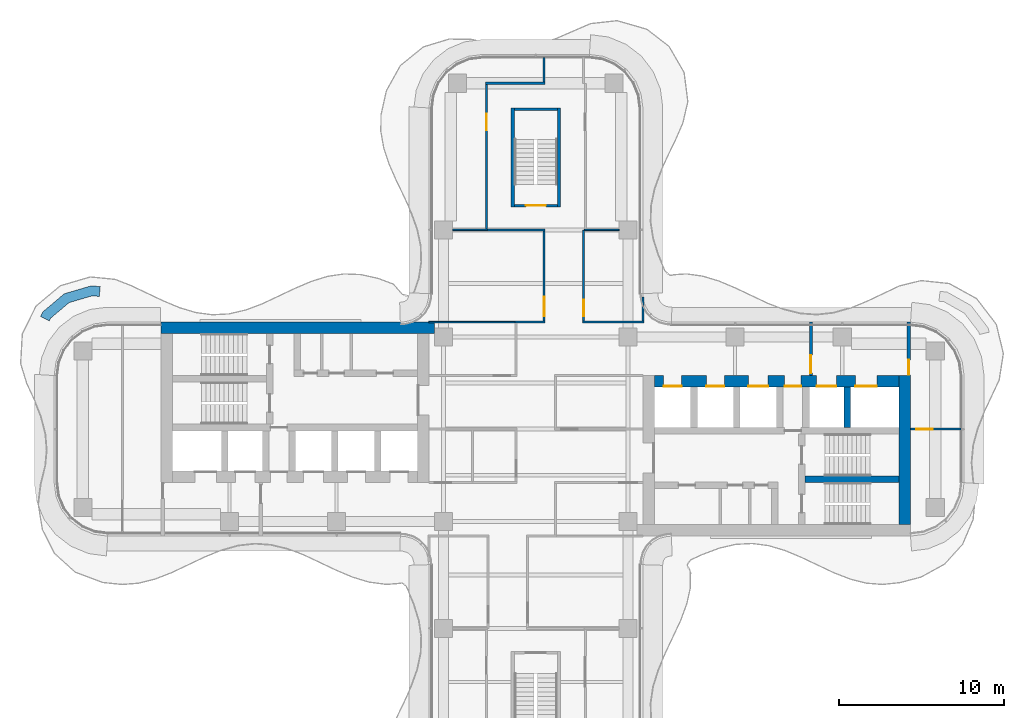
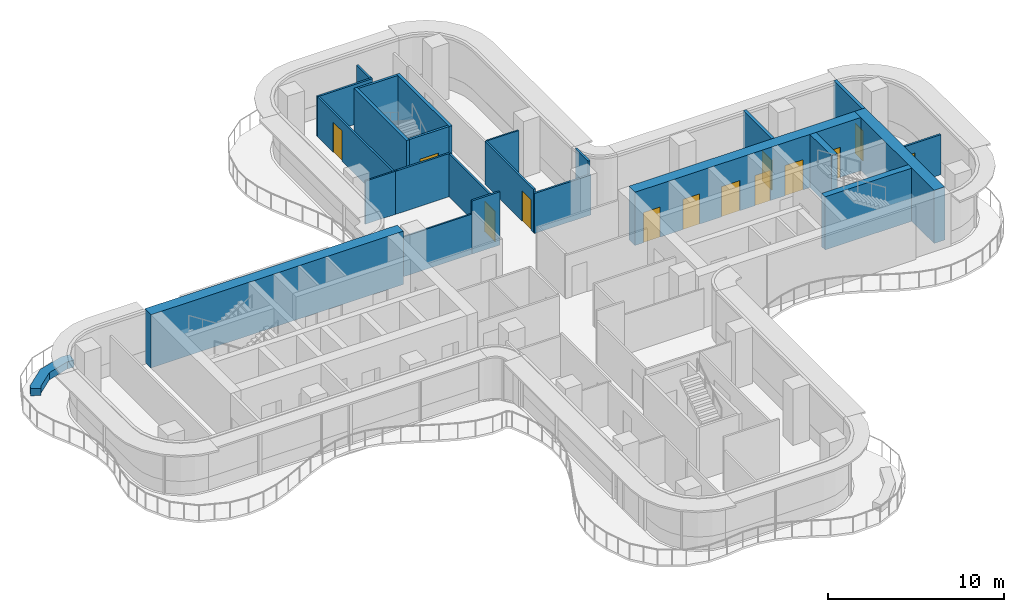
# One storey, part 14 of 17: 25 walls, 13 doors, 13 openings.
"""IFC4 building model written with IfcOpenShell, lengths in metres."""

from ifc_helpers import new_model, si_unit, direction, frame, frame_2d, origin, place, context, subcontext, project, spatial, polyline, rectangle, outline, extrude, source, transform, mapped, material, layer, layer_set, type_object, element, fill, save


model = new_model("IFC4")

# Units and contexts
model_context = context("Model", 3, precision=1e-05, world=origin(), true_north=direction((0.0, 1.0)))
body_context = subcontext(model_context, "Body", "Model", "MODEL_VIEW")
ifc_project = project(units=[si_unit("LENGTHUNIT", "METRE"), si_unit("AREAUNIT", "SQUARE_METRE"), si_unit("VOLUMEUNIT", "CUBIC_METRE"), si_unit("PLANEANGLEUNIT", "RADIAN"), si_unit("MASSUNIT", "GRAM", prefix="KILO")], contexts=[model_context])

# Site, building, storey
site_placement = place(None, origin())
site = spatial("IfcSite", under=ifc_project, at=site_placement, CompositionType="ELEMENT")
building_placement = place(site_placement, origin())
building = spatial("IfcBuilding", under=site, at=building_placement, Name="Trellis Farm Tower", CompositionType="ELEMENT")
storey_placement = place(building_placement, frame((0.0, 0.0, 240.199951171875)))
storey = spatial("IfcBuildingStorey", under=building, at=storey_placement, Name="L53", CompositionType="ELEMENT", Elevation=240.199951171875)

# Walls
ifc_material_1 = material(Name="Sandstone faced masonry planter", Category="masonry")
ifc_layer_1 = layer(ifc_material_1, 0.60009765625)
ifc_layer_set_1 = layer_set([ifc_layer_1], Name="PLANTER BED 600")
wall_type_1 = type_object("IfcWallType", Name="PLANTER BED 600", PredefinedType="USERDEFINED", material=ifc_layer_set_1)
wall_1_placement = place(storey_placement, origin())
element("IfcWall", 1, at=wall_1_placement, inside=storey, type_object=wall_type_1, Name="PLANTER bed", ObjectType="PLANTER", PredefinedType="USERDEFINED", context=body_context, shape_type="SweptSolid", body=[
    extrude(outline(polyline([(-29.93896484375, 7.119140625), (-28.6328125, 8.22119140625), (-26.98193359375, 8.705078125), (-26.449951171875, 8.651611328125), (-26.510009765625, 8.0546875), (-26.925537109375, 8.096435546875), (-28.3427734375, 7.68115234375), (-29.454833984375, 6.742431640625), (-29.5390625, 6.569091796875), (-30.07861328125, 6.83154296875), (-29.93896484375, 7.119140625)])), origin(), (0.0, 0.0, 1.0), 0.5),
])
ifc_material_2 = material(Name="Concrete C60/75", Category="concrete")
ifc_layer_2 = layer(ifc_material_2, 0.699951171875)
ifc_layer_set_2 = layer_set([ifc_layer_2], Name="CORE OUTER WALL 700 CONCRETE C60/75")
wall_type_2 = type_object("IfcWallType", Name="CORE OUTER WALL 700 CONCRETE C60/75", PredefinedType="SHEAR", material=ifc_layer_set_2)
shared_shape_1 = source(origin(), body_context, "Body", "SweptSolid", [
    extrude(rectangle(XDim=9.050048828125, YDim=0.699951171875, at=frame_2d((4.52490234375, 0.0))), origin(), (0.0, 0.0, 1.0), 3.699951171875),
])
wall_2_placement = place(storey_placement, frame((22.39990234375, -5.800048828125, 0.0), z_axis=(0.0, 0.0, 1.0), x_axis=(0.0, 1.0, 0.0)))
element("IfcWall", 2, at=wall_2_placement, inside=storey, type_object=wall_type_2, Name="Core wall", PredefinedType="SHEAR", context=body_context, shape_type="MappedRepresentation", body=[
    mapped(shared_shape_1, transform((0.0, 0.0, 0.0))),
])
ifc_layer_3 = layer(ifc_material_2, 0.39990234375)
ifc_layer_set_3 = layer_set([ifc_layer_3], Name="CORE INNER WALL 400 CONCRETE C60/75")
wall_type_3 = type_object("IfcWallType", Name="CORE INNER WALL 400 CONCRETE C60/75", PredefinedType="SHEAR", material=ifc_layer_set_3)
shared_shape_2 = source(origin(), body_context, "Body", "SweptSolid", [
    extrude(rectangle(XDim=2.449951171875, YDim=0.39990234375, at=frame_2d((1.22509765625, 0.0))), origin(), (0.0, 0.0, 1.0), 3.699951171875),
])
wall_3_placement = place(storey_placement, frame((18.89990234375, 0.10009765625, 0.0), z_axis=(0.0, 0.0, 1.0), x_axis=(0.0, 1.0, 0.0)))
element("IfcWall", 3, at=wall_3_placement, inside=storey, type_object=wall_type_3, Name="Core wall", PredefinedType="SHEAR", context=body_context, shape_type="MappedRepresentation", body=[
    mapped(shared_shape_2, transform((0.0, 0.0, 0.0))),
])

# Wall, opening, door
ifc_material_3 = material(Name="Masonry blockwork", Category="masonry")
ifc_layer_4 = layer(ifc_material_3, 0.199951171875)
ifc_layer_set_4 = layer_set([ifc_layer_4], Name="FIRE LOBBY PARTITION 200 BLOCKWORK")
wall_type_4 = type_object("IfcWallType", Name="FIRE LOBBY PARTITION 200 BLOCKWORK", PredefinedType="PARTITIONING", material=ifc_layer_set_4)
shared_shape_3 = source(origin(), body_context, "Body", "SweptSolid", [
    extrude(rectangle(XDim=3.25, YDim=0.199951171875, at=frame_2d((1.625, 0.0))), origin(), (0.0, 0.0, 1.0), 3.699951171875),
])
wall_4_placement = place(storey_placement, frame((16.699951171875, 3.25, 0.0), z_axis=(0.0, 0.0, 1.0), x_axis=(0.0, 1.0, 0.0)))
wall_4 = element("IfcWall", 4, at=wall_4_placement, inside=storey, type_object=wall_type_4, Name="Fire-fighting lobby partition", PredefinedType="PARTITIONING", context=body_context, shape_type="MappedRepresentation", body=[
    mapped(shared_shape_3, transform((0.0, 0.0, 0.0))),
])
shared_shape_4 = source(origin(), body_context, "Body", "SweptSolid", [
    extrude(rectangle(XDim=1.10009765625, YDim=2.10009765625, at=frame_2d((0.550048828125, 1.050048828125))), frame((0.0, 0.110107421875, 0.0), z_axis=(0.0, -1.0, 0.0), x_axis=(1.0, 0.0, 0.0)), (0.0, 0.0, 1.0), 0.22021484375),
])
opening_1_placement = place(wall_4_placement, frame((0.14990234375, 0.0, 0.0)))
opening_1 = element("IfcOpeningElement", 5, at=opening_1_placement, cuts=wall_4, Name="Opening DC7", PredefinedType="OPENING", context=body_context, shape_type="MappedRepresentation", body=[
    mapped(shared_shape_4, transform((0.0, 0.0, 0.0))),
])
ifc_material_4 = material(Name="Steel", Category="steel")
door_type_1 = type_object("IfcDoorType", Name="CORE FIRE DOOR 1100 X 2100", OperationType="NOTDEFINED", PredefinedType="DOOR", material=ifc_material_4)
shared_shape_5 = source(origin(), body_context, "Body", "SweptSolid", [
    extrude(rectangle(XDim=1.10009765625, YDim=2.10009765625, at=frame_2d((0.550048828125, 1.050048828125))), frame((0.0, 0.02490234375, 0.0), z_axis=(0.0, -1.0, 0.0), x_axis=(1.0, 0.0, 0.0)), (0.0, 0.0, 1.0), 0.050048828125),
])
door_1_placement = place(opening_1_placement, origin())
door_1 = element("IfcDoor", 6, at=door_1_placement, inside=storey, type_object=door_type_1, Name="Core door", OperationType="SINGLE_SWING_RIGHT", OverallHeight=2.10009765625, OverallWidth=1.10009765625, PredefinedType="DOOR", context=body_context, shape_type="MappedRepresentation", body=[
    mapped(shared_shape_5, transform((0.0, 0.0, 0.0))),
])
fill(opening_1, door_1)

wall_5_placement = place(storey_placement, frame((22.64990234375, 3.25, 0.0), z_axis=(0.0, 0.0, 1.0), x_axis=(0.0, 1.0, 0.0)))
wall_5 = element("IfcWall", 7, at=wall_5_placement, inside=storey, type_object=wall_type_4, Name="Fire-fighting lobby partition", PredefinedType="PARTITIONING", context=body_context, shape_type="MappedRepresentation", body=[
    mapped(shared_shape_3, transform((0.0, 0.0, 0.0))),
])
shared_shape_6 = source(origin(), body_context, "Body", "SweptSolid", [
    extrude(rectangle(XDim=0.89990234375, YDim=2.10009765625, at=frame_2d((0.449951171875, 1.050048828125))), frame((0.0, 0.110107421875, 0.0), z_axis=(0.0, -1.0, 0.0), x_axis=(1.0, 0.0, 0.0)), (0.0, 0.0, 1.0), 0.22021484375),
])
opening_2_placement = place(wall_5_placement, frame((0.050048828125, 0.0, 0.0)))
opening_2 = element("IfcOpeningElement", 8, at=opening_2_placement, cuts=wall_5, Name="Opening DC8", PredefinedType="OPENING", context=body_context, shape_type="MappedRepresentation", body=[
    mapped(shared_shape_6, transform((0.0, 0.0, 0.0))),
])
door_type_2 = type_object("IfcDoorType", Name="CORE FIRE DOOR 900 X 2100", OperationType="NOTDEFINED", PredefinedType="DOOR", material=ifc_material_4)
shared_shape_7 = source(origin(), body_context, "Body", "SweptSolid", [
    extrude(rectangle(XDim=0.89990234375, YDim=2.10009765625, at=frame_2d((0.449951171875, 1.050048828125))), frame((0.0, 0.02490234375, 0.0), z_axis=(0.0, -1.0, 0.0), x_axis=(1.0, 0.0, 0.0)), (0.0, 0.0, 1.0), 0.050048828125),
])
door_2_placement = place(opening_2_placement, origin())
door_2 = element("IfcDoor", 9, at=door_2_placement, inside=storey, type_object=door_type_2, Name="Core door", OperationType="SINGLE_SWING_RIGHT", OverallHeight=2.10009765625, OverallWidth=0.89990234375, PredefinedType="DOOR", context=body_context, shape_type="MappedRepresentation", body=[
    mapped(shared_shape_7, transform((0.0, 0.0, 0.0))),
])
fill(opening_2, door_2)

# Wall, openings, doors
shared_shape_8 = source(origin(), body_context, "Body", "SweptSolid", [
    extrude(rectangle(XDim=14.85009765625, YDim=0.699951171875, at=frame_2d((7.425048828125, 0.0))), origin(), (0.0, 0.0, 1.0), 3.699951171875),
])
wall_6_placement = place(storey_placement, frame((7.199951171875, 2.89990234375, 0.0), z_axis=(0.0, 0.0, 1.0), x_axis=(1.0, 0.0, 0.0)))
wall_6 = element("IfcWall", 10, at=wall_6_placement, inside=storey, type_object=wall_type_2, Name="Core wall", PredefinedType="SHEAR", context=body_context, shape_type="MappedRepresentation", body=[
    mapped(shared_shape_8, transform((0.0, 0.0, 0.0))),
])
shared_shape_9 = source(origin(), body_context, "Body", "SweptSolid", [
    extrude(rectangle(XDim=1.10009765625, YDim=2.10009765625, at=frame_2d((0.550048828125, 1.050048828125))), frame((0.0, 0.360107421875, 0.0), z_axis=(0.0, -1.0, 0.0), x_axis=(1.0, 0.0, 0.0)), (0.0, 0.0, 1.0), 0.72021484375),
])
opening_3_placement = place(wall_6_placement, frame((0.550048828125, 0.0, 0.0)))
opening_3 = element("IfcOpeningElement", 11, at=opening_3_placement, cuts=wall_6, Name="Opening LD4", PredefinedType="OPENING", context=body_context, shape_type="MappedRepresentation", body=[
    mapped(shared_shape_9, transform((0.0, 0.0, 0.0))),
])
opening_4_placement = place(wall_6_placement, frame((3.14990234375, 0.0, 0.0)))
opening_4 = element("IfcOpeningElement", 12, at=opening_4_placement, cuts=wall_6, Name="Opening LD5", PredefinedType="OPENING", context=body_context, shape_type="MappedRepresentation", body=[
    mapped(shared_shape_9, transform((0.0, 0.0, 0.0))),
])
shared_shape_10 = source(origin(), body_context, "Body", "SweptSolid", [
    extrude(rectangle(XDim=1.199951171875, YDim=2.10009765625, at=frame_2d((0.60009765625, 1.050048828125))), frame((0.0, 0.360107421875, 0.0), z_axis=(0.0, -1.0, 0.0), x_axis=(1.0, 0.0, 0.0)), (0.0, 0.0, 1.0), 0.72021484375),
])
opening_5_placement = place(wall_6_placement, frame((5.699951171875, 0.0, 0.0)))
opening_5 = element("IfcOpeningElement", 13, at=opening_5_placement, cuts=wall_6, Name="Opening LD6", PredefinedType="OPENING", context=body_context, shape_type="MappedRepresentation", body=[
    mapped(shared_shape_10, transform((0.0, 0.0, 0.0))),
])
shared_shape_11 = source(origin(), body_context, "Body", "SweptSolid", [
    extrude(rectangle(XDim=1.300048828125, YDim=2.10009765625, at=frame_2d((0.64990234375, 1.050048828125))), frame((0.0, 0.360107421875, 0.0), z_axis=(0.0, -1.0, 0.0), x_axis=(1.0, 0.0, 0.0)), (0.0, 0.0, 1.0), 0.72021484375),
])
opening_6_placement = place(wall_6_placement, frame((12.199951171875, 0.0, 0.0)))
opening_6 = element("IfcOpeningElement", 14, at=opening_6_placement, cuts=wall_6, Name="Opening LD7", PredefinedType="OPENING", context=body_context, shape_type="MappedRepresentation", body=[
    mapped(shared_shape_11, transform((0.0, 0.0, 0.0))),
])
opening_7_placement = place(wall_6_placement, frame((9.85009765625, 0.0, 0.0)))
opening_7 = element("IfcOpeningElement", 15, at=opening_7_placement, cuts=wall_6, Name="Opening LD8", PredefinedType="OPENING", context=body_context, shape_type="MappedRepresentation", body=[
    mapped(shared_shape_10, transform((0.0, 0.0, 0.0))),
])
shared_shape_12 = source(origin(), body_context, "Body", "SweptSolid", [
    extrude(rectangle(XDim=1.0, YDim=2.10009765625, at=frame_2d((0.5, 1.050048828125))), frame((0.0, 0.360107421875, 0.0), z_axis=(0.0, -1.0, 0.0), x_axis=(1.0, 0.0, 0.0)), (0.0, 0.0, 1.0), 0.72021484375),
])
opening_8_placement = place(wall_6_placement, frame((7.89990234375, 0.0, 0.0)))
opening_8 = element("IfcOpeningElement", 16, at=opening_8_placement, cuts=wall_6, Name="Opening DC6", PredefinedType="OPENING", context=body_context, shape_type="MappedRepresentation", body=[
    mapped(shared_shape_12, transform((0.0, 0.0, 0.0))),
])
door_type_3 = type_object("IfcDoorType", Name="CORE FIRE DOOR 1000 X 2100", OperationType="NOTDEFINED", PredefinedType="DOOR", material=ifc_material_4)
shared_shape_13 = source(origin(), body_context, "Body", "SweptSolid", [
    extrude(rectangle(XDim=1.0, YDim=2.10009765625, at=frame_2d((0.5, 1.050048828125))), frame((0.0, -0.27490234375, 0.0), z_axis=(0.0, -1.0, 0.0), x_axis=(1.0, 0.0, 0.0)), (0.0, 0.0, 1.0), 0.050048828125),
])
door_3_placement = place(opening_8_placement, origin())
door_3 = element("IfcDoor", 17, at=door_3_placement, inside=storey, type_object=door_type_3, Name="Core door", OperationType="SINGLE_SWING_LEFT", OverallHeight=2.10009765625, OverallWidth=1.0, PredefinedType="DOOR", context=body_context, shape_type="MappedRepresentation", body=[
    mapped(shared_shape_13, transform((0.0, 0.0, 0.0))),
])
fill(opening_8, door_3)
ifc_material_5 = material(Name="Stainless steel", Category="steel")
door_type_4 = type_object("IfcDoorType", Name="LIFT LANDING DOOR 1300 X 2100", OperationType="DOUBLE_DOOR_SLIDING", PredefinedType="DOOR", material=ifc_material_5)
shared_shape_14 = source(origin(), body_context, "Body", "SweptSolid", [
    extrude(rectangle(XDim=1.300048828125, YDim=2.10009765625, at=frame_2d((0.64990234375, 1.050048828125))), frame((0.0, -0.27490234375, 0.0), z_axis=(0.0, -1.0, 0.0), x_axis=(1.0, 0.0, 0.0)), (0.0, 0.0, 1.0), 0.050048828125),
])
door_4_placement = place(opening_6_placement, origin())
door_4 = element("IfcDoor", 18, at=door_4_placement, inside=storey, type_object=door_type_4, Name="Lift landing door", OperationType="DOUBLE_DOOR_SLIDING", OverallHeight=2.10009765625, OverallWidth=1.300048828125, PredefinedType="DOOR", context=body_context, shape_type="MappedRepresentation", body=[
    mapped(shared_shape_14, transform((0.0, 0.0, 0.0))),
])
fill(opening_6, door_4)
door_type_5 = type_object("IfcDoorType", Name="LIFT LANDING DOOR 1200 X 2100", OperationType="DOUBLE_DOOR_SLIDING", PredefinedType="DOOR", material=ifc_material_5)
shared_shape_15 = source(origin(), body_context, "Body", "SweptSolid", [
    extrude(rectangle(XDim=1.199951171875, YDim=2.10009765625, at=frame_2d((0.60009765625, 1.050048828125))), frame((0.0, -0.27490234375, 0.0), z_axis=(0.0, -1.0, 0.0), x_axis=(1.0, 0.0, 0.0)), (0.0, 0.0, 1.0), 0.050048828125),
])
door_5_placement = place(opening_5_placement, origin())
door_5 = element("IfcDoor", 19, at=door_5_placement, inside=storey, type_object=door_type_5, Name="Lift landing door", OperationType="DOUBLE_DOOR_SLIDING", OverallHeight=2.10009765625, OverallWidth=1.199951171875, PredefinedType="DOOR", context=body_context, shape_type="MappedRepresentation", body=[
    mapped(shared_shape_15, transform((0.0, 0.0, 0.0))),
])
fill(opening_5, door_5)
door_6_placement = place(opening_7_placement, origin())
door_6 = element("IfcDoor", 20, at=door_6_placement, inside=storey, type_object=door_type_5, Name="Lift landing door", OperationType="DOUBLE_DOOR_SLIDING", OverallHeight=2.10009765625, OverallWidth=1.199951171875, PredefinedType="DOOR", context=body_context, shape_type="MappedRepresentation", body=[
    mapped(shared_shape_15, transform((0.0, 0.0, 0.0))),
])
fill(opening_7, door_6)
door_type_6 = type_object("IfcDoorType", Name="LIFT LANDING DOOR 1100 X 2100", OperationType="DOUBLE_DOOR_SLIDING", PredefinedType="DOOR", material=ifc_material_5)
shared_shape_16 = source(origin(), body_context, "Body", "SweptSolid", [
    extrude(rectangle(XDim=1.10009765625, YDim=2.10009765625, at=frame_2d((0.550048828125, 1.050048828125))), frame((0.0, -0.27490234375, 0.0), z_axis=(0.0, -1.0, 0.0), x_axis=(1.0, 0.0, 0.0)), (0.0, 0.0, 1.0), 0.050048828125),
])
door_7_placement = place(opening_3_placement, origin())
door_7 = element("IfcDoor", 21, at=door_7_placement, inside=storey, type_object=door_type_6, Name="Lift landing door", OperationType="DOUBLE_DOOR_SLIDING", OverallHeight=2.10009765625, OverallWidth=1.10009765625, PredefinedType="DOOR", context=body_context, shape_type="MappedRepresentation", body=[
    mapped(shared_shape_16, transform((0.0, 0.0, 0.0))),
])
fill(opening_3, door_7)
door_8_placement = place(opening_4_placement, origin())
door_8 = element("IfcDoor", 22, at=door_8_placement, inside=storey, type_object=door_type_6, Name="Lift landing door", OperationType="DOUBLE_DOOR_SLIDING", OverallHeight=2.10009765625, OverallWidth=1.10009765625, PredefinedType="DOOR", context=body_context, shape_type="MappedRepresentation", body=[
    mapped(shared_shape_16, transform((0.0, 0.0, 0.0))),
])
fill(opening_4, door_8)

# Walls
shared_shape_17 = source(origin(), body_context, "Body", "SweptSolid", [
    extrude(rectangle(XDim=5.699951171875, YDim=0.39990234375, at=frame_2d((2.85009765625, 0.0))), origin(), (0.0, 0.0, 1.0), 3.699951171875),
])
wall_7_placement = place(storey_placement, frame((16.35009765625, -3.050048828125, 0.0), z_axis=(0.0, 0.0, 1.0), x_axis=(1.0, 0.0, 0.0)))
element("IfcWall", 23, at=wall_7_placement, inside=storey, type_object=wall_type_3, Name="Core wall", PredefinedType="SHEAR", context=body_context, shape_type="MappedRepresentation", body=[
    mapped(shared_shape_17, transform((0.0, 0.0, 0.0))),
])
shared_shape_18 = source(origin(), body_context, "Body", "SweptSolid", [
    extrude(rectangle(XDim=16.60009765625, YDim=0.699951171875, at=frame_2d((8.300048828125, 0.0))), origin(), (0.0, 0.0, 1.0), 3.699951171875),
])
wall_8_placement = place(storey_placement, frame((-6.14990234375, 6.14990234375, 0.0), z_axis=(0.0, 0.0, 1.0), x_axis=(-1.0, 0.0, 0.0)))
element("IfcWall", 24, at=wall_8_placement, inside=storey, type_object=wall_type_2, Name="Core wall", PredefinedType="SHEAR", context=body_context, shape_type="MappedRepresentation", body=[
    mapped(shared_shape_18, transform((0.0, 0.0, 0.0))),
])
ifc_layer_5 = layer(ifc_material_2, 0.199951171875)
ifc_layer_set_5 = layer_set([ifc_layer_5], Name="CORE STAIR ENCLOSURE WALL 200 CONCRETE C60/75")
wall_type_5 = type_object("IfcWallType", Name="CORE STAIR ENCLOSURE WALL 200 CONCRETE C60/75", PredefinedType="SHEAR", material=ifc_layer_set_5)
shared_shape_19 = source(origin(), body_context, "Body", "SweptSolid", [
    extrude(rectangle(XDim=6.0, YDim=0.199951171875, at=frame_2d((3.0, 0.0))), origin(), (0.0, 0.0, 1.0), 3.699951171875),
])
for number, where, z_axis, x_axis, name in (
    (25, (-1.39990234375, 13.5, 0.0), (0.0, 0.0, 1.0), (0.0, 1.0, 0.0), "Stair enclosure wall"),
    (26, (1.39990234375, 13.5, 0.0), (0.0, 0.0, 1.0), (0.0, 1.0, 0.0), "Stair enclosure wall"),
):
    element("IfcWall", number, at=place(storey_placement, frame(where, z_axis=z_axis, x_axis=x_axis)), inside=storey, type_object=wall_type_5, Name=name, PredefinedType="SHEAR", context=body_context, shape_type="MappedRepresentation", body=[
        mapped(shared_shape_19, transform((0.0, 0.0, 0.0))),
    ])

# Wall, opening, door
ifc_layer_6 = layer(ifc_material_2, 0.14990234375)
ifc_layer_set_6 = layer_set([ifc_layer_6], Name="CORE STAIR ENCLOSURE WALL 150 CONCRETE C60/75")
wall_type_6 = type_object("IfcWallType", Name="CORE STAIR ENCLOSURE WALL 150 CONCRETE C60/75", PredefinedType="SHEAR", material=ifc_layer_set_6)
shared_shape_20 = source(origin(), body_context, "Body", "SweptSolid", [
    extrude(rectangle(XDim=2.60009765625, YDim=0.14990234375, at=frame_2d((1.300048828125, 0.0))), origin(), (0.0, 0.0, 1.0), 3.699951171875),
])
wall_9_placement = place(storey_placement, frame((-1.300048828125, 13.574951171875, 0.0), z_axis=(0.0, 0.0, 1.0), x_axis=(1.0, 0.0, 0.0)))
wall_9 = element("IfcWall", 27, at=wall_9_placement, inside=storey, type_object=wall_type_6, Name="Stair enclosure wall", PredefinedType="SHEAR", context=body_context, shape_type="MappedRepresentation", body=[
    mapped(shared_shape_20, transform((0.0, 0.0, 0.0))),
])
shared_shape_21 = source(origin(), body_context, "Body", "SweptSolid", [
    extrude(rectangle(XDim=1.199951171875, YDim=2.10009765625, at=frame_2d((0.60009765625, 1.050048828125))), frame((0.0, 0.0849609375, 0.0), z_axis=(0.0, -1.0, 0.0), x_axis=(1.0, 0.0, 0.0)), (0.0, 0.0, 1.0), 0.169921875),
])
opening_9_placement = place(wall_9_placement, frame((0.699951171875, 0.0, 0.0)))
opening_9 = element("IfcOpeningElement", 28, at=opening_9_placement, cuts=wall_9, Name="Opening DC173", PredefinedType="OPENING", context=body_context, shape_type="MappedRepresentation", body=[
    mapped(shared_shape_21, transform((0.0, 0.0, 0.0))),
])
door_type_7 = type_object("IfcDoorType", Name="CORE FIRE DOOR 1200 X 2100", OperationType="NOTDEFINED", PredefinedType="DOOR", material=ifc_material_4)
shared_shape_22 = source(origin(), body_context, "Body", "SweptSolid", [
    extrude(rectangle(XDim=1.199951171875, YDim=2.10009765625, at=frame_2d((0.60009765625, 1.050048828125))), frame((0.0, 0.02490234375, 0.0), z_axis=(0.0, -1.0, 0.0), x_axis=(1.0, 0.0, 0.0)), (0.0, 0.0, 1.0), 0.050048828125),
])
door_9_placement = place(opening_9_placement, origin())
door_9 = element("IfcDoor", 29, at=door_9_placement, inside=storey, type_object=door_type_7, Name="Core door", OperationType="SINGLE_SWING_LEFT", OverallHeight=2.10009765625, OverallWidth=1.199951171875, PredefinedType="DOOR", context=body_context, shape_type="MappedRepresentation", body=[
    mapped(shared_shape_22, transform((0.0, 0.0, 0.0))),
])
fill(opening_9, door_9)

# Wall
wall_10_placement = place(storey_placement, frame((-1.300048828125, 19.425048828125, 0.0), z_axis=(0.0, 0.0, 1.0), x_axis=(1.0, 0.0, 0.0)))
element("IfcWall", 30, at=wall_10_placement, inside=storey, type_object=wall_type_6, Name="Stair enclosure wall", PredefinedType="SHEAR", context=body_context, shape_type="MappedRepresentation", body=[
    mapped(shared_shape_20, transform((0.0, 0.0, 0.0))),
])

# Wall, opening, door
ifc_material_6 = material(Name="Plasterboard on steel studs, mineral wool", Category="steel")
ifc_layer_7 = layer(ifc_material_6, 0.125)
ifc_layer_set_7 = layer_set([ifc_layer_7], Name="PARTITION 125 STUD EI 60")
wall_type_7 = type_object("IfcWallType", Name="PARTITION 125 STUD EI 60", PredefinedType="PARTITIONING", material=ifc_layer_set_7)
shared_shape_23 = source(origin(), body_context, "Body", "SweptSolid", [
    extrude(rectangle(XDim=5.47509765625, YDim=0.125, at=frame_2d((2.737548828125, 0.0))), origin(), (0.0, 0.0, 1.0), 2.99658203125),
])
wall_11_placement = place(storey_placement, frame((0.5, 12.03759765625, 0.0), z_axis=(0.0, 0.0, 1.0), x_axis=(0.0, -1.0, 0.0)))
wall_11 = element("IfcWall", 31, at=wall_11_placement, inside=storey, type_object=wall_type_7, Name="Partition PW1", PredefinedType="PARTITIONING", context=body_context, shape_type="MappedRepresentation", body=[
    mapped(shared_shape_23, transform((0.0, 0.0, 0.0))),
])
shared_shape_24 = source(origin(), body_context, "Body", "SweptSolid", [
    extrude(rectangle(XDim=1.199951171875, YDim=2.10009765625, at=frame_2d((0.60009765625, 1.050048828125))), frame((0.0, 0.072509765625, 0.0), z_axis=(0.0, -1.0, 0.0), x_axis=(1.0, 0.0, 0.0)), (0.0, 0.0, 1.0), 0.14501953125),
])
opening_10_placement = place(wall_11_placement, frame((3.987548828125, 0.0, 0.0)))
opening_10 = element("IfcOpeningElement", 32, at=opening_10_placement, cuts=wall_11, Name="Opening D602", PredefinedType="OPENING", context=body_context, shape_type="MappedRepresentation", body=[
    mapped(shared_shape_24, transform((0.0, 0.0, 0.0))),
])
ifc_material_7 = material(Name="Fire-rated timber door leaf in a hollow metal frame", Category="wood")
door_type_8 = type_object("IfcDoorType", Name="DOOR 1200x2100 FD30S", OperationType="NOTDEFINED", PredefinedType="DOOR", material=ifc_material_7)
door_10_placement = place(opening_10_placement, origin())
door_10 = element("IfcDoor", 33, at=door_10_placement, inside=storey, type_object=door_type_8, Name="Door D602", OperationType="SINGLE_SWING_RIGHT", OverallHeight=2.10009765625, OverallWidth=1.199951171875, PredefinedType="DOOR", context=body_context, shape_type="MappedRepresentation", body=[
    mapped(shared_shape_22, transform((0.0, 0.0, 0.0))),
])
fill(opening_10, door_10)

shared_shape_25 = source(origin(), body_context, "Body", "SweptSolid", [
    extrude(rectangle(XDim=5.53759765625, YDim=0.125, at=frame_2d((2.768798828125, 0.0))), origin(), (0.0, 0.0, 1.0), 2.99658203125),
])
wall_12_placement = place(storey_placement, frame((2.89990234375, 12.10009765625, 0.0), z_axis=(0.0, 0.0, 1.0), x_axis=(0.0, -1.0, 0.0)))
wall_12 = element("IfcWall", 34, at=wall_12_placement, inside=storey, type_object=wall_type_7, Name="Partition PW1", PredefinedType="PARTITIONING", context=body_context, shape_type="MappedRepresentation", body=[
    mapped(shared_shape_25, transform((0.0, 0.0, 0.0))),
])
shared_shape_26 = source(origin(), body_context, "Body", "SweptSolid", [
    extrude(rectangle(XDim=1.0, YDim=2.10009765625, at=frame_2d((0.5, 1.050048828125))), frame((0.0, 0.072509765625, 0.0), z_axis=(0.0, -1.0, 0.0), x_axis=(1.0, 0.0, 0.0)), (0.0, 0.0, 1.0), 0.14501953125),
])
opening_11_placement = place(wall_12_placement, frame((4.25, 0.0, 0.0)))
opening_11 = element("IfcOpeningElement", 35, at=opening_11_placement, cuts=wall_12, Name="Opening D109", PredefinedType="OPENING", context=body_context, shape_type="MappedRepresentation", body=[
    mapped(shared_shape_26, transform((0.0, 0.0, 0.0))),
])
door_type_9 = type_object("IfcDoorType", Name="DOOR 1000x2100 FD30S", OperationType="NOTDEFINED", PredefinedType="DOOR", material=ifc_material_7)
shared_shape_27 = source(origin(), body_context, "Body", "SweptSolid", [
    extrude(rectangle(XDim=1.0, YDim=2.10009765625, at=frame_2d((0.5, 1.050048828125))), frame((0.0, 0.02490234375, 0.0), z_axis=(0.0, -1.0, 0.0), x_axis=(1.0, 0.0, 0.0)), (0.0, 0.0, 1.0), 0.050048828125),
])
door_11_placement = place(opening_11_placement, origin())
door_11 = element("IfcDoor", 36, at=door_11_placement, inside=storey, type_object=door_type_9, Name="Door D109", OperationType="SINGLE_SWING_RIGHT", OverallHeight=2.10009765625, OverallWidth=1.0, PredefinedType="DOOR", context=body_context, shape_type="MappedRepresentation", body=[
    mapped(shared_shape_27, transform((0.0, 0.0, 0.0))),
])
fill(opening_11, door_11)

# Walls
shared_shape_28 = source(origin(), body_context, "Body", "SweptSolid", [
    extrude(rectangle(XDim=1.468994140625, YDim=0.125, at=frame_2d((0.734375, 0.0))), origin(), (0.0, 0.0, 1.0), 3.699951171875),
])
wall_13_placement = place(storey_placement, frame((6.5, 6.5625, 0.0), z_axis=(0.0, 0.0, 1.0), x_axis=(0.0, 1.0, 0.0)))
element("IfcWall", 37, at=wall_13_placement, inside=storey, type_object=wall_type_7, Name="Partition PW1", PredefinedType="PARTITIONING", context=body_context, shape_type="MappedRepresentation", body=[
    mapped(shared_shape_28, transform((0.0, 0.0, 0.0))),
])
ifc_material_8 = material(Name="Plasterboard on steel studs", Category="steel")
ifc_layer_8 = layer(ifc_material_8, 0.10009765625)
ifc_layer_set_8 = layer_set([ifc_layer_8], Name="PARTITION 100 STUD EI 30")
wall_type_8 = type_object("IfcWallType", Name="PARTITION 100 STUD EI 30", PredefinedType="PARTITIONING", material=ifc_layer_set_8)
shared_shape_29 = source(origin(), body_context, "Body", "SweptSolid", [
    extrude(rectangle(XDim=5.362548828125, YDim=0.10009765625, at=frame_2d((2.68115234375, 0.0))), origin(), (0.0, 0.0, 1.0), 2.780029296875),
])
wall_14_placement = place(storey_placement, frame((-6.5, 6.5, 0.0), z_axis=(0.0, 0.0, 1.0), x_axis=(1.0, 0.0, 0.0)))
element("IfcWall", 38, at=wall_14_placement, inside=storey, type_object=wall_type_8, Name="Partition PW2", PredefinedType="PARTITIONING", context=body_context, shape_type="MappedRepresentation", body=[
    mapped(shared_shape_29, transform((0.0, 0.0, 0.0))),
])
shared_shape_30 = source(origin(), body_context, "Body", "SweptSolid", [
    extrude(rectangle(XDim=1.824951171875, YDim=0.125, at=frame_2d((0.91259765625, 0.0))), origin(), (0.0, 0.0, 1.0), 3.699951171875),
])
wall_15_placement = place(storey_placement, frame((-1.262451171875, 6.5, 0.0), z_axis=(0.0, 0.0, 1.0), x_axis=(1.0, 0.0, 0.0)))
element("IfcWall", 39, at=wall_15_placement, inside=storey, type_object=wall_type_7, Name="Partition PW1", PredefinedType="PARTITIONING", context=body_context, shape_type="MappedRepresentation", body=[
    mapped(shared_shape_30, transform((0.0, 0.0, 0.0))),
])
shared_shape_31 = source(origin(), body_context, "Body", "SweptSolid", [
    extrude(rectangle(XDim=3.72509765625, YDim=0.125, at=frame_2d((1.862548828125, 0.0))), origin(), (0.0, 0.0, 1.0), 2.780029296875),
])
wall_16_placement = place(storey_placement, frame((2.83740234375, 6.5, 0.0), z_axis=(0.0, 0.0, 1.0), x_axis=(1.0, 0.0, 0.0)))
element("IfcWall", 40, at=wall_16_placement, inside=storey, type_object=wall_type_7, Name="Partition PW1", PredefinedType="PARTITIONING", context=body_context, shape_type="MappedRepresentation", body=[
    mapped(shared_shape_31, transform((0.0, 0.0, 0.0))),
])
shared_shape_32 = source(origin(), body_context, "Body", "SweptSolid", [
    extrude(rectangle(XDim=3.625, YDim=0.125, at=frame_2d((1.8125, 0.0))), origin(), (0.0, 0.0, 1.0), 2.99658203125),
])
wall_17_placement = place(storey_placement, frame((0.5625, 12.10009765625, 0.0), z_axis=(0.0, 0.0, 1.0), x_axis=(-1.0, 0.0, 0.0)))
element("IfcWall", 41, at=wall_17_placement, inside=storey, type_object=wall_type_7, Name="Partition PW1", PredefinedType="PARTITIONING", context=body_context, shape_type="MappedRepresentation", body=[
    mapped(shared_shape_32, transform((0.0, 0.0, 0.0))),
])
shared_shape_33 = source(origin(), body_context, "Body", "SweptSolid", [
    extrude(rectangle(XDim=1.487548828125, YDim=0.125, at=frame_2d((0.74365234375, 0.0))), origin(), (0.0, 0.0, 1.0), 2.780029296875),
])
wall_18_placement = place(storey_placement, frame((0.5, 22.550048828125, 0.0), z_axis=(0.0, 0.0, 1.0), x_axis=(0.0, -1.0, 0.0)))
element("IfcWall", 42, at=wall_18_placement, inside=storey, type_object=wall_type_7, Name="Partition PW1", PredefinedType="PARTITIONING", context=body_context, shape_type="MappedRepresentation", body=[
    mapped(shared_shape_33, transform((0.0, 0.0, 0.0))),
])
shared_shape_34 = source(origin(), body_context, "Body", "SweptSolid", [
    extrude(rectangle(XDim=3.625, YDim=0.125, at=frame_2d((1.8125, 0.0))), origin(), (0.0, 0.0, 1.0), 2.780029296875),
])
wall_19_placement = place(storey_placement, frame((-3.0625, 21.0, 0.0), z_axis=(0.0, 0.0, 1.0), x_axis=(1.0, 0.0, 0.0)))
element("IfcWall", 43, at=wall_19_placement, inside=storey, type_object=wall_type_7, Name="Partition PW1", PredefinedType="PARTITIONING", context=body_context, shape_type="MappedRepresentation", body=[
    mapped(shared_shape_34, transform((0.0, 0.0, 0.0))),
])

# Wall, opening, door
shared_shape_35 = source(origin(), body_context, "Body", "SweptSolid", [
    extrude(rectangle(XDim=8.78759765625, YDim=0.125, at=frame_2d((4.393798828125, 0.0))), origin(), (0.0, 0.0, 1.0), 2.780029296875),
])
wall_20_placement = place(storey_placement, frame((-3.0, 12.14990234375, 0.0), z_axis=(0.0, 0.0, 1.0), x_axis=(0.0, 1.0, 0.0)))
wall_20 = element("IfcWall", 44, at=wall_20_placement, inside=storey, type_object=wall_type_7, Name="Partition PW1", PredefinedType="PARTITIONING", context=body_context, shape_type="MappedRepresentation", body=[
    mapped(shared_shape_35, transform((0.0, 0.0, 0.0))),
])
opening_12_placement = place(wall_20_placement, frame((6.0, 0.0, 0.0)))
opening_12 = element("IfcOpeningElement", 45, at=opening_12_placement, cuts=wall_20, Name="Opening D110", PredefinedType="OPENING", context=body_context, shape_type="MappedRepresentation", body=[
    mapped(shared_shape_26, transform((0.0, 0.0, 0.0))),
])
door_12_placement = place(opening_12_placement, origin())
door_12 = element("IfcDoor", 46, at=door_12_placement, inside=storey, type_object=door_type_9, Name="Door D110", OperationType="SINGLE_SWING_RIGHT", OverallHeight=2.10009765625, OverallWidth=1.0, PredefinedType="DOOR", context=body_context, shape_type="MappedRepresentation", body=[
    mapped(shared_shape_27, transform((0.0, 0.0, 0.0))),
])
fill(opening_12, door_12)

# Walls
shared_shape_36 = source(origin(), body_context, "Body", "SweptSolid", [
    extrude(rectangle(XDim=2.112548828125, YDim=0.10009765625, at=frame_2d((1.05615234375, 0.0))), origin(), (0.0, 0.0, 1.0), 2.99658203125),
])
for number, where, z_axis, x_axis, name in (
    (47, (-5.050048828125, 12.10009765625, 0.0), (0.0, 0.0, 1.0), (1.0, 0.0, 0.0), "Partition PW2"),
    (48, (2.9375, 12.10009765625, 0.0), (0.0, 0.0, 1.0), (1.0, 0.0, 0.0), "Partition PW2"),
):
    element("IfcWall", number, at=place(storey_placement, frame(where, z_axis=z_axis, x_axis=x_axis)), inside=storey, type_object=wall_type_8, Name=name, PredefinedType="PARTITIONING", context=body_context, shape_type="MappedRepresentation", body=[
        mapped(shared_shape_36, transform((0.0, 0.0, 0.0))),
    ])

# Wall, opening, door
shared_shape_37 = source(origin(), body_context, "Body", "SweptSolid", [
    extrude(rectangle(XDim=3.050048828125, YDim=0.125, at=frame_2d((1.52490234375, 0.0))), origin(), (0.0, 0.0, 1.0), 2.780029296875),
])
wall_21_placement = place(storey_placement, frame((25.800048828125, 0.0, 0.0), z_axis=(0.0, 0.0, 1.0), x_axis=(-1.0, 0.0, 0.0)))
wall_21 = element("IfcWall", 49, at=wall_21_placement, inside=storey, type_object=wall_type_7, Name="Partition PW1", PredefinedType="PARTITIONING", context=body_context, shape_type="MappedRepresentation", body=[
    mapped(shared_shape_37, transform((0.0, 0.0, 0.0))),
])
opening_13_placement = place(wall_21_placement, frame((1.699951171875, 0.0, 0.0)))
opening_13 = element("IfcOpeningElement", 50, at=opening_13_placement, cuts=wall_21, Name="Opening D107", PredefinedType="OPENING", context=body_context, shape_type="MappedRepresentation", body=[
    mapped(shared_shape_26, transform((0.0, 0.0, 0.0))),
])
door_13_placement = place(opening_13_placement, origin())
door_13 = element("IfcDoor", 51, at=door_13_placement, inside=storey, type_object=door_type_9, Name="Door D107", OperationType="SINGLE_SWING_RIGHT", OverallHeight=2.10009765625, OverallWidth=1.0, PredefinedType="DOOR", context=body_context, shape_type="MappedRepresentation", body=[
    mapped(shared_shape_27, transform((0.0, 0.0, 0.0))),
])
fill(opening_13, door_13)

save(model, "model.ifc")
